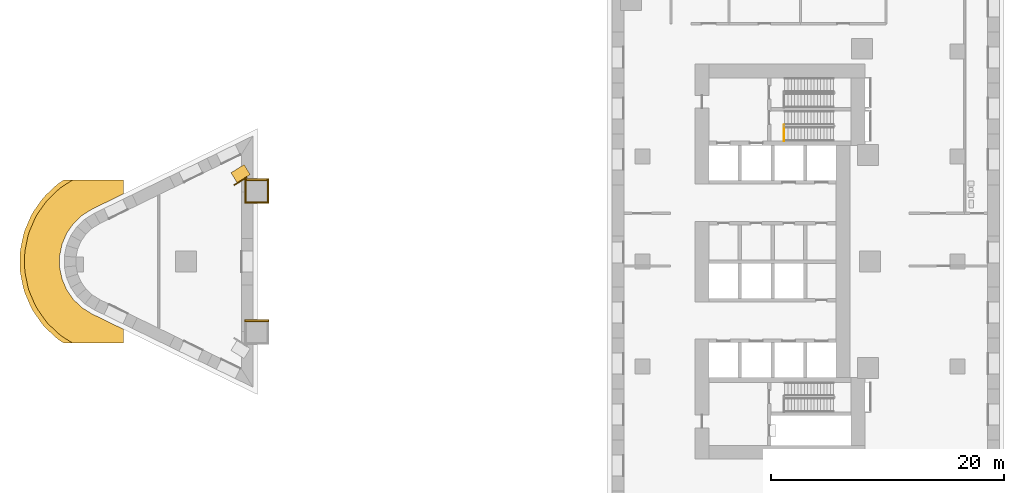
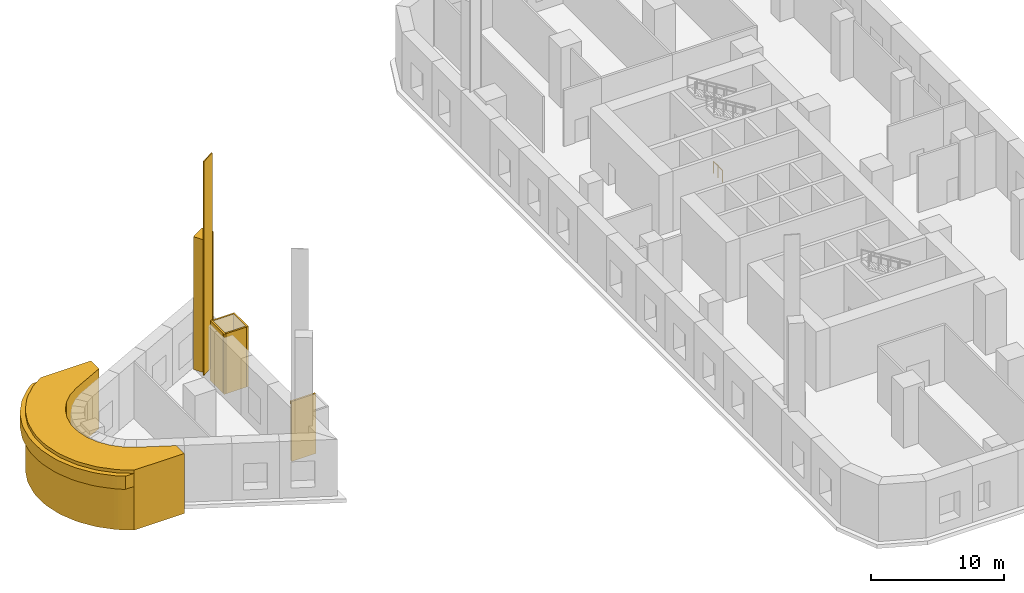
# One storey, part 9 of 12: 9 coverings, 1 railing.
"""IFC4 building model written with IfcOpenShell, lengths in metres."""

from ifc_helpers import new_model, si_unit, direction, frame, frame_2d, origin, origin_2d, place, context, subcontext, project, spatial, polyline, rectangle, circle, outline, extrude, material, layer, layer_set, type_object, element, save


model = new_model("IFC4")

# Units and contexts
model_context = context("Model", 3, precision=1e-05, world=origin(), true_north=direction((0.0, 1.0)))
body_context = subcontext(model_context, "Body", "Model", "MODEL_VIEW")
ifc_project = project(units=[si_unit("LENGTHUNIT", "METRE"), si_unit("AREAUNIT", "SQUARE_METRE"), si_unit("VOLUMEUNIT", "CUBIC_METRE"), si_unit("PLANEANGLEUNIT", "RADIAN"), si_unit("MASSUNIT", "GRAM", prefix="KILO")], contexts=[model_context])

# Site, building, storey
site_placement = place(None, origin())
site = spatial("IfcSite", under=ifc_project, at=site_placement, CompositionType="ELEMENT")
building_placement = place(site_placement, origin())
building = spatial("IfcBuilding", under=site, at=building_placement, Name="Ostrand Prow Hotel Tower", CompositionType="ELEMENT")
storey_placement = place(building_placement, frame((0.0, 0.0, 8.0)))
storey = spatial("IfcBuildingStorey", under=building, at=storey_placement, Name="L01", CompositionType="ELEMENT", Elevation=8.0)

# Coverings
ifc_material_1 = material(Name="Dark bronze anodised aluminium lining", Category="aluminium")
ifc_layer_1 = layer(ifc_material_1, 0.080078125)
ifc_layer_set_1 = layer_set([ifc_layer_1], Name="Dark bronze anodised aluminium lining")
covering_type_1 = type_object("IfcCoveringType", Name="Arch spandrel limestone cladding 80 mm", PredefinedType="CLADDING", material=ifc_layer_set_1)
covering_1_placement = place(storey_placement, frame((9.980224609375, 6.552978515625, 1.104248046875), z_axis=(0.0, 0.0, 1.0), x_axis=(0.849694340291, 0.527275571288, 0.0)))
element("IfcCovering", 1, at=covering_1_placement, inside=storey, type_object=covering_type_1, Name="Arch spandrel cladding N 2", PredefinedType="CLADDING", context=body_context, shape_type="SweptSolid", body=[
    extrude(rectangle(XDim=1.32275390625, YDim=0.080078125, at=frame_2d((0.661376953125, 0.0))), origin(), (0.0, 0.0, 1.0), 19.595703125),
])
ifc_material_2 = material(Name="Limestone cladding", Category="masonry")
ifc_layer_2 = layer(ifc_material_2, 0.14990234375)
ifc_layer_set_2 = layer_set([ifc_layer_2], Name="Limestone cladding")
covering_type_2 = type_object("IfcCoveringType", Name="Column stone sleeve 150 mm", PredefinedType="CLADDING", material=ifc_layer_set_2)
for number, where, z_axis, x_axis, name in (
    (2, (12.976318359375, -5.06689453125, 0.0), (0.0, 0.0, 1.0), (-1.0, 0.0, 0.0), "Column stone sleeve MC-S1 3"),
    (3, (10.87646484375, 5.06689453125, 0.0), (0.0, 0.0, 1.0), (1.0, 0.0, 0.0), "Column stone sleeve MC-N6 1"),
):
    element("IfcCovering", number, at=place(storey_placement, frame(where, z_axis=z_axis, x_axis=x_axis)), inside=storey, type_object=covering_type_2, Name=name, PredefinedType="CLADDING", context=body_context, shape_type="SweptSolid", body=[
        extrude(rectangle(XDim=2.099853515625, YDim=0.14990234375, at=frame_2d((1.0498046875, 0.0))), origin(), (0.0, 0.0, 1.0), 5.5),
    ])
covering_2_placement = place(storey_placement, frame((12.9013671875, 4.991943359375, 0.0), z_axis=(0.0, 0.0, 1.0), x_axis=(0.0, 1.0, 0.0)))
element("IfcCovering", 4, at=covering_2_placement, inside=storey, type_object=covering_type_2, Name="Column stone sleeve MC-N6 2", PredefinedType="CLADDING", context=body_context, shape_type="SweptSolid", body=[
    extrude(rectangle(XDim=2.10009765625, YDim=0.14990234375, at=frame_2d((1.050048828125, 0.0))), origin(), (0.0, 0.0, 1.0), 5.5),
])
covering_3_placement = place(storey_placement, frame((12.976318359375, 7.01708984375, 0.0), z_axis=(0.0, 0.0, 1.0), x_axis=(-1.0, 0.0, 0.0)))
element("IfcCovering", 5, at=covering_3_placement, inside=storey, type_object=covering_type_2, Name="Column stone sleeve MC-N6 3", PredefinedType="CLADDING", context=body_context, shape_type="SweptSolid", body=[
    extrude(rectangle(XDim=2.099853515625, YDim=0.14990234375, at=frame_2d((1.0498046875, 0.0))), origin(), (0.0, 0.0, 1.0), 5.5),
])
covering_4_placement = place(storey_placement, frame((10.951416015625, 7.092041015625, 0.0), z_axis=(0.0, 0.0, 1.0), x_axis=(0.0, -1.0, 0.0)))
element("IfcCovering", 6, at=covering_4_placement, inside=storey, type_object=covering_type_2, Name="Column stone sleeve MC-N6 4", PredefinedType="CLADDING", context=body_context, shape_type="SweptSolid", body=[
    extrude(rectangle(XDim=2.10009765625, YDim=0.14990234375, at=frame_2d((1.050048828125, 0.0))), origin(), (0.0, 0.0, 1.0), 5.5),
])
ifc_material_3 = material(Name="Limestone cladding", Category="masonry")
ifc_layer_3 = layer(ifc_material_3, 1.0)
ifc_layer_set_3 = layer_set([ifc_layer_3], Name="Limestone cladding")
covering_type_3 = type_object("IfcCoveringType", Name="Portal frame limestone 1000 mm", PredefinedType="CLADDING", material=ifc_layer_set_3)
covering_5_placement = place(storey_placement, frame((9.980224609375, 7.189453125, 1.10400390625), z_axis=(0.0, 0.0, 1.0), x_axis=(0.850520949904, 0.5259411695, 0.0)))
element("IfcCovering", 7, at=covering_5_placement, inside=storey, type_object=covering_type_3, Name="Portal frame N 2", PredefinedType="CLADDING", context=body_context, shape_type="SweptSolid", body=[
    extrude(rectangle(XDim=1.321533203125, YDim=1.0, at=frame_2d((0.66064453125, 0.0))), origin(), (0.0, 0.0, 1.0), 12.16357421875),
])
ifc_material_4 = material(Name="Bronze anodised aluminium cladding", Category="aluminium")
ifc_layer_4 = layer(ifc_material_4, 0.39990234375)
ifc_layer_set_4 = layer_set([ifc_layer_4], Name="Bronze anodised aluminium cladding")
covering_type_4 = type_object("IfcCoveringType", Name="Prow nose bronze band", PredefinedType="CLADDING", material=ifc_layer_set_4)
covering_6_placement = place(storey_placement, frame((0.0, 0.0, 4.0)))
element("IfcCovering", 8, at=covering_6_placement, inside=storey, type_object=covering_type_4, Name="Prow nose band L01", PredefinedType="CLADDING", context=body_context, shape_type="SweptSolid", body=[
    extrude(outline(polyline([(-4.8447265625, -6.849365234375), (-4.601806640625, -7.0), (-3.843017578125, -7.0), (-4.6337890625, -6.509521484375), (-4.88427734375, -6.3359375), (-5.11572265625, -6.137939453125), (-5.851806640625, -5.44091796875), (-6.06201171875, -5.220458984375), (-6.248779296875, -4.979736328125), (-6.8291015625, -4.1484375), (-6.990478515625, -3.89013671875), (-7.125, -3.616943359375), (-7.525390625, -2.685546875), (-7.631591796875, -2.39990234375), (-7.7080078125, -2.105224609375), (-7.91259765625, -1.112060546875), (-7.958740234375, -0.81103515625), (-7.97412109375, -0.5068359375), (-7.97412109375, 0.5068359375), (-7.958740234375, 0.81103515625), (-7.91259765625, 1.112060546875), (-7.7080078125, 2.105224609375), (-7.631591796875, 2.39990234375), (-7.525390625, 2.685546875), (-7.125, 3.616943359375), (-6.990478515625, 3.89013671875), (-6.8291015625, 4.1484375), (-6.248779296875, 4.979736328125), (-6.06201171875, 5.220458984375), (-5.851806640625, 5.44091796875), (-5.11572265625, 6.137939453125), (-4.88427734375, 6.3359375), (-4.6337890625, 6.509521484375), (-3.843017578125, 7.0), (-4.601806640625, 7.0), (-4.8447265625, 6.849365234375), (-5.12841796875, 6.65283203125), (-5.390625, 6.428466796875), (-6.126708984375, 5.731201171875), (-6.364990234375, 5.4814453125), (-6.57666015625, 5.208740234375), (-7.156982421875, 4.37744140625), (-7.340087890625, 4.084716796875), (-7.4921875, 3.77490234375), (-7.89306640625, 2.843505859375), (-8.01318359375, 2.52001953125), (-8.099853515625, 2.185791015625), (-8.30419921875, 1.19287109375), (-8.356689453125, 0.851806640625), (-8.374267578125, 0.5068359375), (-8.374267578125, -0.5068359375), (-8.356689453125, -0.851806640625), (-8.30419921875, -1.19287109375), (-8.099853515625, -2.185791015625), (-8.01318359375, -2.52001953125), (-7.89306640625, -2.843505859375), (-7.4921875, -3.77490234375), (-7.340087890625, -4.084716796875), (-7.156982421875, -4.37744140625), (-6.57666015625, -5.208740234375), (-6.364990234375, -5.4814453125), (-6.126708984375, -5.731201171875), (-5.390625, -6.428466796875), (-5.12841796875, -6.65283203125), (-4.8447265625, -6.849365234375)])), origin(), (0.0, 0.0, 1.0), 1.199951171875),
])
ifc_material_5 = material(Name="Limestone cladding", Category="masonry")
ifc_layer_5 = layer(ifc_material_5, 3.0)
ifc_layer_set_5 = layer_set([ifc_layer_5], Name="Limestone cladding")
covering_type_5 = type_object("IfcCoveringType", Name="Prow nose pier limestone", PredefinedType="CLADDING", material=ifc_layer_set_5)
covering_7_placement = place(storey_placement, origin())
element("IfcCovering", 9, at=covering_7_placement, inside=storey, type_object=covering_type_5, Name="Prow nose pier L01", PredefinedType="CLADDING", context=body_context, shape_type="SweptSolid", body=[
    extrude(outline(polyline([(-4.6337890625, -6.509521484375), (-3.843017578125, -7.0), (0.5, -7.0), (0.5, -5.80615234375), (-2.19091796875, -4.494384765625), (-3.052490234375, -3.9599609375), (-3.788818359375, -3.2626953125), (-4.368896484375, -2.431396484375), (-4.769775390625, -1.5), (-4.97412109375, -0.5068359375), (-4.97412109375, 0.5068359375), (-4.769775390625, 1.5), (-4.368896484375, 2.431396484375), (-3.788818359375, 3.2626953125), (-3.052490234375, 3.9599609375), (-2.19091796875, 4.494384765625), (0.5, 5.80615234375), (0.5, 7.0), (-3.843017578125, 7.0), (-4.6337890625, 6.509521484375), (-4.88427734375, 6.3359375), (-5.11572265625, 6.137939453125), (-5.851806640625, 5.44091796875), (-6.06201171875, 5.220458984375), (-6.248779296875, 4.979736328125), (-6.8291015625, 4.1484375), (-6.990478515625, 3.89013671875), (-7.125, 3.616943359375), (-7.525390625, 2.685546875), (-7.631591796875, 2.39990234375), (-7.7080078125, 2.105224609375), (-7.91259765625, 1.112060546875), (-7.958740234375, 0.81103515625), (-7.97412109375, 0.5068359375), (-7.97412109375, -0.5068359375), (-7.958740234375, -0.81103515625), (-7.91259765625, -1.112060546875), (-7.7080078125, -2.105224609375), (-7.631591796875, -2.39990234375), (-7.525390625, -2.685546875), (-7.125, -3.616943359375), (-6.990478515625, -3.89013671875), (-6.8291015625, -4.1484375), (-6.248779296875, -4.979736328125), (-6.06201171875, -5.220458984375), (-5.851806640625, -5.44091796875), (-5.11572265625, -6.137939453125), (-4.88427734375, -6.3359375), (-4.6337890625, -6.509521484375)])), origin(), (0.0, 0.0, 1.0), 5.5),
])

# Railing
ifc_material_6 = material(Name="Painted steel", Category="steel")
railing_type = type_object("IfcRailingType", Name="Stair guard 1100", PredefinedType="GUARDRAIL", material=ifc_material_6)
railing_placement = place(storey_placement, frame((57.14990234375, 10.35009765625, 0.0)))
element("IfcRailing", 10, at=railing_placement, inside=storey, type_object=railing_type, Name="L01 ST1A top well guard 1", PredefinedType="GUARDRAIL", context=body_context, shape_type="SweptSolid", body=[
    extrude(circle(Radius=0.02392578125, at=origin_2d()), frame((0.0, 0.0, 1.076171875), z_axis=(0.0, 1.0, 0.0), x_axis=(-1.0, 0.0, 0.0)), (0.0, 0.0, 1.0), 1.349853515625),
    extrude(circle(Radius=0.02099609375, at=origin_2d()), origin(), (0.0, 0.0, 1.0), 1.052001953125),
    extrude(circle(Radius=0.02099609375, at=origin_2d()), frame((0.0, 0.6748046875, 0.0)), (0.0, 0.0, 1.0), 1.052001953125),
    extrude(circle(Radius=0.02099609375, at=origin_2d()), frame((0.0, 1.349853515625, 0.0)), (0.0, 0.0, 1.0), 1.052001953125),
])

save(model, "model.ifc")
